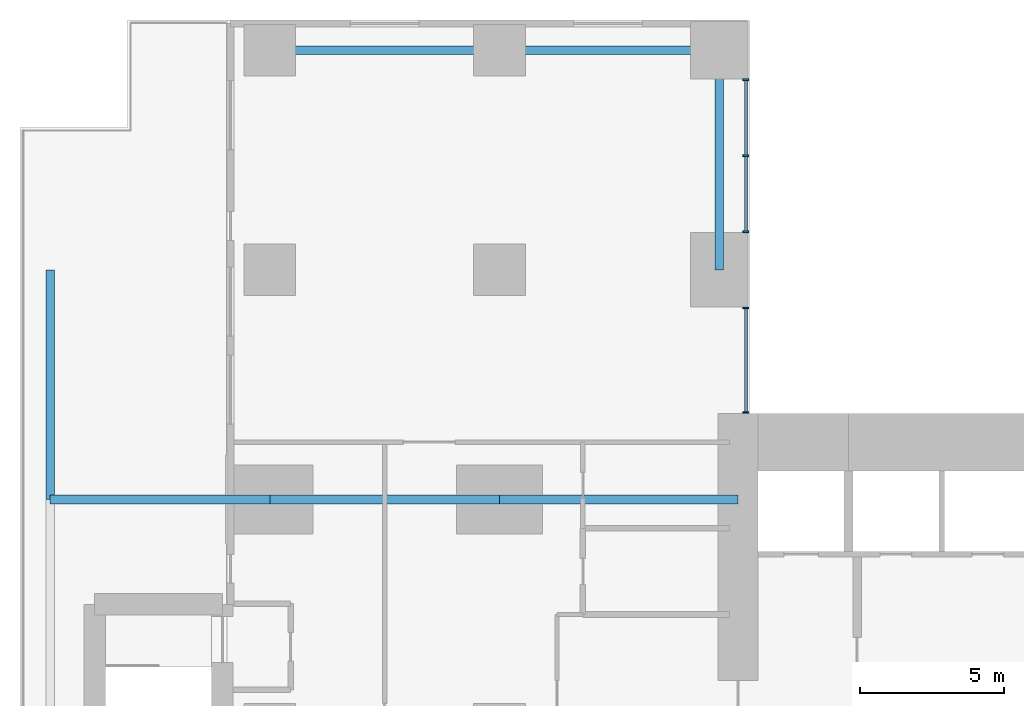
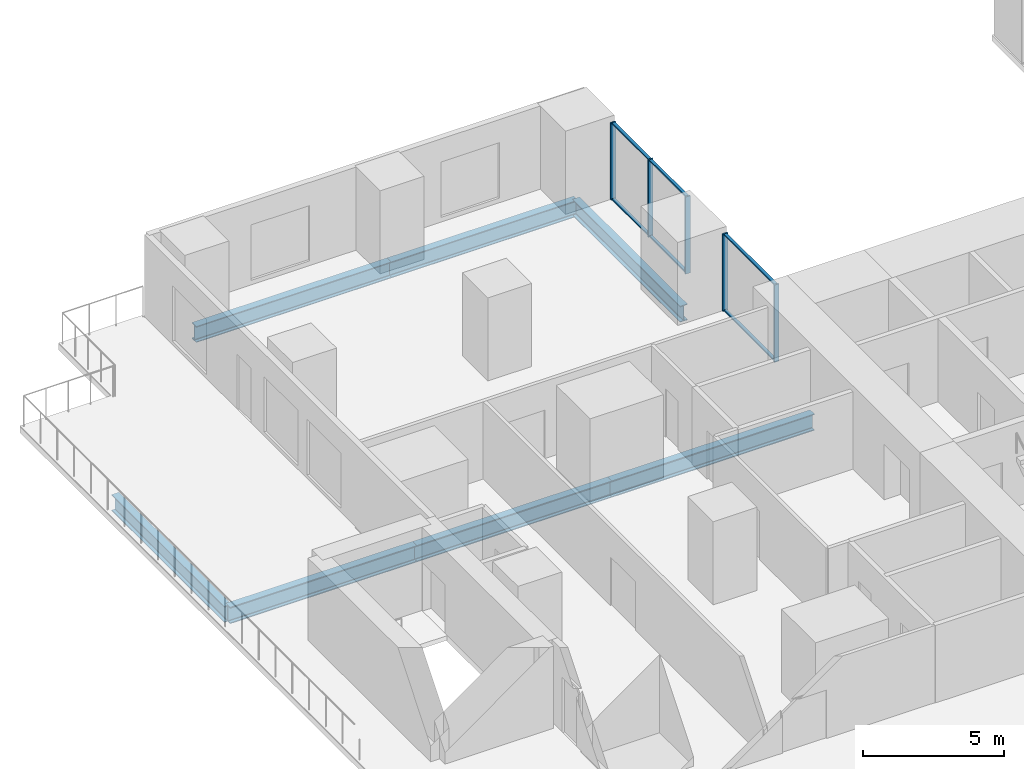
# One storey, part 4 of 16: 11 members, 7 beams, 2 elements without a shape of their own.
"""IFC4 building model written with IfcOpenShell, lengths in metres."""

from ifc_helpers import new_model, si_unit, direction, frame, origin, origin_2d, place, context, subcontext, project, spatial, rectangle, i_section, extrude, material, layer, layer_set, material_profile, profile_set, type_object, element, aggregate, save


model = new_model("IFC4")

# Units and contexts
model_context = context("Model", 3, precision=1e-05, world=origin(), true_north=direction((0.0, 1.0)))
body_context = subcontext(model_context, "Body", "Model", "MODEL_VIEW")
ifc_project = project(units=[si_unit("LENGTHUNIT", "METRE"), si_unit("AREAUNIT", "SQUARE_METRE"), si_unit("VOLUMEUNIT", "CUBIC_METRE"), si_unit("PLANEANGLEUNIT", "RADIAN"), si_unit("MASSUNIT", "GRAM", prefix="KILO")], contexts=[model_context])

# Site, building, storey
site_placement = place(None, origin())
site = spatial("IfcSite", under=ifc_project, at=site_placement, CompositionType="ELEMENT")
building_placement = place(site_placement, origin())
building = spatial("IfcBuilding", under=site, at=building_placement, Name="Cleftline Residences", CompositionType="ELEMENT")
storey_placement = place(building_placement, frame((0.0, 0.0, 218.199951171875)))
storey = spatial("IfcBuildingStorey", under=building, at=storey_placement, Name="L57", CompositionType="ELEMENT", Elevation=218.199951171875)

# Beams
ifc_material_1 = material(Name="Steel S355", Category="steel")
ifc_material_profile_1 = material_profile(ifc_material_1, i_section(OverallWidth=0.300048828125, OverallDepth=0.699951171875, WebThickness=0.01708984375, FlangeThickness=0.031982421875, FilletRadius=0.027099609375, at=origin_2d()))
ifc_profile_set_1 = profile_set([ifc_material_profile_1], Name="Steel S355")
beam_type_1 = type_object("IfcBeamType", Name="BEAM HEB 700", PredefinedType="BEAM", material=ifc_profile_set_1)
for number, where, z_axis, x_axis, name in (
    (1, (0.35009765625, 32.0, -0.599853515625), (0.0, 1.0, 0.0), (-1.0, 0.0, 0.0), "Edge beam"),
    (2, (8.0, 47.64990234375, -0.599853515625), (1.0, 0.0, 0.0), (0.0, 1.0, 0.0), "Edge beam"),
):
    element("IfcBeam", number, at=place(storey_placement, frame(where, z_axis=z_axis, x_axis=x_axis)), inside=storey, type_object=beam_type_1, Name=name, PredefinedType="BEAM", context=body_context, shape_type="SweptSolid", body=[
        extrude(i_section(OverallWidth=0.300048828125, OverallDepth=0.699951171875, WebThickness=0.01708984375, FlangeThickness=0.031982421875, FilletRadius=0.027099609375, at=origin_2d()), origin(), (0.0, 0.0, 1.0), 8.0),
    ])
for number, where, z_axis, x_axis, name in (
    (3, (16.0, 47.64990234375, -0.599853515625), (1.0, 0.0, 0.0), (0.0, 1.0, 0.0), "Edge beam"),
    (4, (23.64990234375, 47.64990234375, -0.599853515625), (0.0, -1.0, 0.0), (1.0, 0.0, 0.0), "Edge beam"),
):
    element("IfcBeam", number, at=place(storey_placement, frame(where, z_axis=z_axis, x_axis=x_axis)), inside=storey, type_object=beam_type_1, Name=name, PredefinedType="BEAM", context=body_context, shape_type="SweptSolid", body=[
        extrude(i_section(OverallWidth=0.300048828125, OverallDepth=0.699951171875, WebThickness=0.01708984375, FlangeThickness=0.031982421875, FilletRadius=0.027099609375, at=origin_2d()), origin(), (0.0, 0.0, 1.0), 7.64990234375),
    ])
ifc_material_2 = material(Name="Steel S355", Category="steel")
ifc_material_profile_2 = material_profile(ifc_material_2, i_section(OverallWidth=0.303955078125, OverallDepth=0.716064453125, WebThickness=0.02099609375, FlangeThickness=0.0400390625, FilletRadius=0.027099609375, at=origin_2d()))
ifc_profile_set_2 = profile_set([ifc_material_profile_2], Name="Steel S355")
beam_type_2 = type_object("IfcBeamType", Name="BEAM HEM 700", PredefinedType="BEAM", material=ifc_profile_set_2)
beam_1_placement = place(storey_placement, frame((0.35009765625, 32.0, -0.60791015625), z_axis=(1.0, 0.0, 0.0), x_axis=(0.0, 1.0, 0.0)))
element("IfcBeam", 5, at=beam_1_placement, inside=storey, type_object=beam_type_2, Name="Band beam", PredefinedType="BEAM", context=body_context, shape_type="SweptSolid", body=[
    extrude(i_section(OverallWidth=0.303955078125, OverallDepth=0.716064453125, WebThickness=0.02099609375, FlangeThickness=0.0400390625, FilletRadius=0.027099609375, at=origin_2d()), origin(), (0.0, 0.0, 1.0), 7.64990234375),
])
beam_2_placement = place(storey_placement, frame((8.0, 32.0, -0.60791015625), z_axis=(1.0, 0.0, 0.0), x_axis=(0.0, 1.0, 0.0)))
element("IfcBeam", 6, at=beam_2_placement, inside=storey, type_object=beam_type_2, Name="Band beam", PredefinedType="BEAM", context=body_context, shape_type="SweptSolid", body=[
    extrude(i_section(OverallWidth=0.303955078125, OverallDepth=0.716064453125, WebThickness=0.02099609375, FlangeThickness=0.0400390625, FilletRadius=0.027099609375, at=origin_2d()), origin(), (0.0, 0.0, 1.0), 8.0),
])
beam_3_placement = place(storey_placement, frame((16.0, 32.0, -0.60791015625), z_axis=(1.0, 0.0, 0.0), x_axis=(0.0, 1.0, 0.0)))
element("IfcBeam", 7, at=beam_3_placement, inside=storey, type_object=beam_type_2, Name="Band beam", PredefinedType="BEAM", context=body_context, shape_type="SweptSolid", body=[
    extrude(i_section(OverallWidth=0.303955078125, OverallDepth=0.716064453125, WebThickness=0.02099609375, FlangeThickness=0.0400390625, FilletRadius=0.027099609375, at=origin_2d()), origin(), (0.0, 0.0, 1.0), 8.300048828125),
])

# Curtain wall, members
ifc_material_3 = material(Name="Aluminium framed curtain wall", Category="aluminium")
ifc_layer = layer(ifc_material_3, 0.199951171875)
ifc_layer_set = layer_set([ifc_layer], Name="CW1 CLEFT GLAZING")
curtain_wall_type = type_object("IfcCurtainWallType", Name="CW1 CLEFT GLAZING", PredefinedType="NOTDEFINED", material=ifc_layer_set)
curtain_wall_1_placement = place(storey_placement, origin())
curtain_wall_1 = element("IfcCurtainWall", 8, at=curtain_wall_1_placement, inside=storey, type_object=curtain_wall_type, Name="Curtain wall CW1", PredefinedType="NOTDEFINED")
ifc_material_4 = material(Name="Aluminium mullion", Category="aluminium")
ifc_material_profile_3 = material_profile(ifc_material_4, rectangle(XDim=0.199951171875, YDim=0.06005859375, at=origin_2d()))
ifc_profile_set_3 = profile_set([ifc_material_profile_3], Name="Aluminium mullion")
member_type_1 = type_object("IfcMemberType", Name="CW1 MULLION", PredefinedType="MULLION", material=ifc_profile_set_3)
member_1_placement = place(storey_placement, frame((24.574951171875, 35.030029296875, 0.0), z_axis=(0.0, 0.0, 1.0), x_axis=(-1.0, 0.0, 0.0)))
member_1 = element("IfcMember", 9, at=member_1_placement, type_object=member_type_1, Name="CW1 mullion 1", PredefinedType="MULLION", context=body_context, shape_type="SweptSolid", body=[
    extrude(rectangle(XDim=0.199951171875, YDim=0.06005859375, at=origin_2d()), origin(), (0.0, 0.0, 1.0), 3.35009765625),
])
member_2_placement = place(storey_placement, frame((24.574951171875, 38.669921875, 0.0), z_axis=(0.0, 0.0, 1.0), x_axis=(-1.0, 0.0, 0.0)))
member_2 = element("IfcMember", 10, at=member_2_placement, type_object=member_type_1, Name="CW1 mullion 2", PredefinedType="MULLION", context=body_context, shape_type="SweptSolid", body=[
    extrude(rectangle(XDim=0.199951171875, YDim=0.06005859375, at=origin_2d()), origin(), (0.0, 0.0, 1.0), 3.35009765625),
])

curtain_wall_2_placement = place(storey_placement, origin())
curtain_wall_2 = element("IfcCurtainWall", 11, at=curtain_wall_2_placement, inside=storey, type_object=curtain_wall_type, Name="Curtain wall CW1", PredefinedType="NOTDEFINED")
member_3_placement = place(storey_placement, frame((24.574951171875, 41.330078125, 0.0), z_axis=(0.0, 0.0, 1.0), x_axis=(-1.0, 0.0, 0.0)))
member_3 = element("IfcMember", 12, at=member_3_placement, type_object=member_type_1, Name="CW1 mullion 1", PredefinedType="MULLION", context=body_context, shape_type="SweptSolid", body=[
    extrude(rectangle(XDim=0.199951171875, YDim=0.06005859375, at=origin_2d()), origin(), (0.0, 0.0, 1.0), 3.35009765625),
])
member_4_placement = place(storey_placement, frame((24.574951171875, 43.97509765625, 0.0), z_axis=(0.0, 0.0, 1.0), x_axis=(-1.0, 0.0, 0.0)))
member_4 = element("IfcMember", 13, at=member_4_placement, type_object=member_type_1, Name="CW1 mullion 2", PredefinedType="MULLION", context=body_context, shape_type="SweptSolid", body=[
    extrude(rectangle(XDim=0.199951171875, YDim=0.06005859375, at=origin_2d()), origin(), (0.0, 0.0, 1.0), 3.35009765625),
])
member_5_placement = place(storey_placement, frame((24.574951171875, 46.6201171875, 0.0), z_axis=(0.0, 0.0, 1.0), x_axis=(-1.0, 0.0, 0.0)))
member_5 = element("IfcMember", 14, at=member_5_placement, type_object=member_type_1, Name="CW1 mullion 3", PredefinedType="MULLION", context=body_context, shape_type="SweptSolid", body=[
    extrude(rectangle(XDim=0.199951171875, YDim=0.06005859375, at=origin_2d()), origin(), (0.0, 0.0, 1.0), 3.35009765625),
])

# Member
ifc_material_5 = material(Name="Aluminium transom", Category="aluminium")
ifc_material_profile_4 = material_profile(ifc_material_5, rectangle(XDim=0.1201171875, YDim=0.06005859375, at=origin_2d()))
ifc_profile_set_4 = profile_set([ifc_material_profile_4], Name="Aluminium transom")
member_type_2 = type_object("IfcMemberType", Name="CW1 TRANSOM", PredefinedType="USERDEFINED", material=ifc_profile_set_4)
member_6_placement = place(storey_placement, frame((24.574951171875, 35.06005859375, 0.030029296875), z_axis=(0.0, 1.0, 0.0), x_axis=(-1.0, 0.0, 0.0)))
member_6 = element("IfcMember", 15, at=member_6_placement, type_object=member_type_2, Name="CW1 transom 1.1", ObjectType="TRANSOM", PredefinedType="USERDEFINED", context=body_context, shape_type="SweptSolid", body=[
    extrude(rectangle(XDim=0.1201171875, YDim=0.06005859375, at=origin_2d()), origin(), (0.0, 0.0, 1.0), 3.579833984375),
])

member_7_placement = place(storey_placement, frame((24.574951171875, 35.06005859375, 3.320068359375), z_axis=(0.0, 1.0, 0.0), x_axis=(-1.0, 0.0, 0.0)))
member_7 = element("IfcMember", 16, at=member_7_placement, type_object=member_type_2, Name="CW1 transom 1.2", ObjectType="TRANSOM", PredefinedType="USERDEFINED", context=body_context, shape_type="SweptSolid", body=[
    extrude(rectangle(XDim=0.1201171875, YDim=0.06005859375, at=origin_2d()), origin(), (0.0, 0.0, 1.0), 3.579833984375),
])

aggregate(curtain_wall_1, [member_1, member_2, member_6, member_7])

member_8_placement = place(storey_placement, frame((24.574951171875, 41.360107421875, 0.030029296875), z_axis=(0.0, 1.0, 0.0), x_axis=(-1.0, 0.0, 0.0)))
member_8 = element("IfcMember", 17, at=member_8_placement, type_object=member_type_2, Name="CW1 transom 1.1", ObjectType="TRANSOM", PredefinedType="USERDEFINED", context=body_context, shape_type="SweptSolid", body=[
    extrude(rectangle(XDim=0.1201171875, YDim=0.06005859375, at=origin_2d()), origin(), (0.0, 0.0, 1.0), 2.5849609375),
])

member_9_placement = place(storey_placement, frame((24.574951171875, 41.360107421875, 3.320068359375), z_axis=(0.0, 1.0, 0.0), x_axis=(-1.0, 0.0, 0.0)))
member_9 = element("IfcMember", 18, at=member_9_placement, type_object=member_type_2, Name="CW1 transom 1.2", ObjectType="TRANSOM", PredefinedType="USERDEFINED", context=body_context, shape_type="SweptSolid", body=[
    extrude(rectangle(XDim=0.1201171875, YDim=0.06005859375, at=origin_2d()), origin(), (0.0, 0.0, 1.0), 2.5849609375),
])

member_10_placement = place(storey_placement, frame((24.574951171875, 44.0048828125, 0.030029296875), z_axis=(0.0, 1.0, 0.0), x_axis=(-1.0, 0.0, 0.0)))
member_10 = element("IfcMember", 19, at=member_10_placement, type_object=member_type_2, Name="CW1 transom 2.1", ObjectType="TRANSOM", PredefinedType="USERDEFINED", context=body_context, shape_type="SweptSolid", body=[
    extrude(rectangle(XDim=0.1201171875, YDim=0.06005859375, at=origin_2d()), origin(), (0.0, 0.0, 1.0), 2.585205078125),
])

member_11_placement = place(storey_placement, frame((24.574951171875, 44.0048828125, 3.320068359375), z_axis=(0.0, 1.0, 0.0), x_axis=(-1.0, 0.0, 0.0)))
member_11 = element("IfcMember", 20, at=member_11_placement, type_object=member_type_2, Name="CW1 transom 2.2", ObjectType="TRANSOM", PredefinedType="USERDEFINED", context=body_context, shape_type="SweptSolid", body=[
    extrude(rectangle(XDim=0.1201171875, YDim=0.06005859375, at=origin_2d()), origin(), (0.0, 0.0, 1.0), 2.585205078125),
])

aggregate(curtain_wall_2, [member_3, member_4, member_5, member_8, member_9, member_10, member_11])

save(model, "model.ifc")
